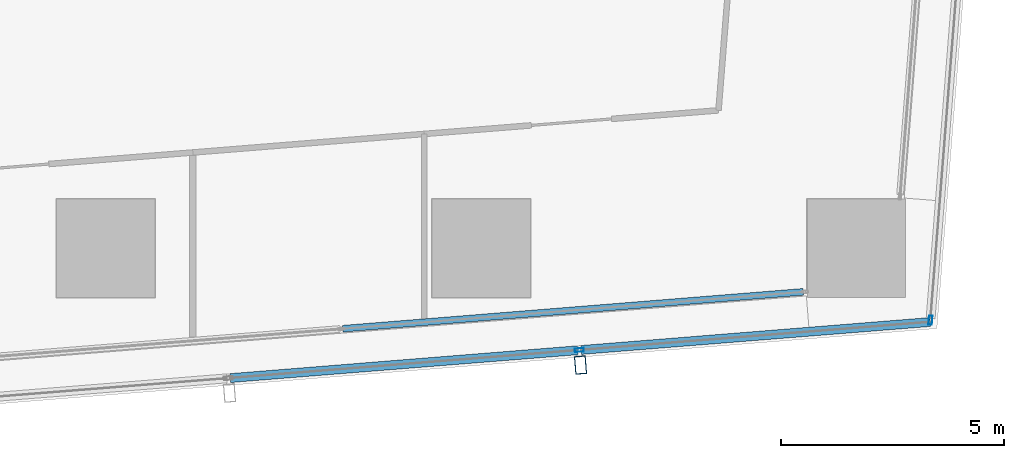
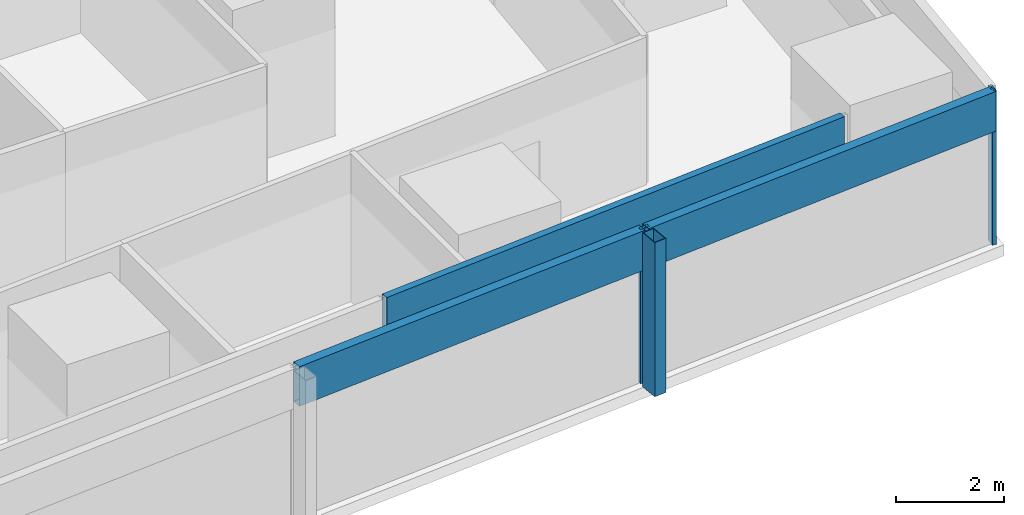
# One storey, part 11 of 42: 6 members, 3 elements without a shape of their own.
"""IFC4 building model written with IfcOpenShell, lengths in metres."""

from ifc_helpers import new_model, si_unit, direction, frame, origin, origin_2d, place, context, subcontext, project, spatial, hollow_rectangle, extrude, material, material_profile, profile_set, type_object, element, aggregate, save


model = new_model("IFC4")

# Units and contexts
model_context = context("Model", 3, precision=1e-05, world=origin(), true_north=direction((0.0, 1.0)))
body_context = subcontext(model_context, "Body", "Model", "MODEL_VIEW")
ifc_project = project(units=[si_unit("LENGTHUNIT", "METRE"), si_unit("AREAUNIT", "SQUARE_METRE"), si_unit("VOLUMEUNIT", "CUBIC_METRE"), si_unit("PLANEANGLEUNIT", "RADIAN"), si_unit("MASSUNIT", "GRAM", prefix="KILO")], contexts=[model_context])

# Site, building, storey
site_placement = place(None, origin())
site = spatial("IfcSite", under=ifc_project, at=site_placement, CompositionType="ELEMENT")
building_placement = place(site_placement, origin())
building = spatial("IfcBuilding", under=site, at=building_placement, Name="Rekha Terrace Tower", CompositionType="ELEMENT")
storey_placement = place(building_placement, frame((0.0, 0.0, 40.39990234375)))
storey = spatial("IfcBuildingStorey", under=building, at=storey_placement, Name="L09", CompositionType="ELEMENT", Elevation=40.39990234375)

# Curtain wall, member
ifc_material_1 = material(Name="Aluminium framing", Category="aluminium")
curtain_wall_type_1 = type_object("IfcCurtainWallType", Name="CW2 double skin outer glazing", PredefinedType="USERDEFINED", material=ifc_material_1)
curtain_wall_1_placement = place(storey_placement, origin())
curtain_wall_1 = element("IfcCurtainWall", 1, at=curtain_wall_1_placement, inside=storey, type_object=curtain_wall_type_1, Name="CW2 double skin outer glazing", ObjectType="DOUBLE SKIN OUTER GLAZING", PredefinedType="USERDEFINED")
ifc_material_2 = material(Name="Steel S355 with fluorocarbon finish", Category="steel")
ifc_material_profile_1 = material_profile(ifc_material_2, hollow_rectangle(XDim=0.25, YDim=0.39990234375, WallThickness=0.012451171875, at=origin_2d()), Name="RHS400x250x12.5")
ifc_profile_set_1 = profile_set([ifc_material_profile_1], Name="Steel S355 with fluorocarbon finish")
member_type_1 = type_object("IfcMemberType", Name="BL1 facade blade RHS 400 x 250", PredefinedType="USERDEFINED", material=ifc_profile_set_1)
member_1_placement = place(storey_placement, frame((61.022705078125, 5.78515625, 0.0), z_axis=(0.0, 0.0, 1.0), x_axis=(0.996805139821, 0.079871855039, 0.0)))
member_1 = element("IfcMember", 2, at=member_1_placement, type_object=member_type_1, Name="Facade blade", ObjectType="FACADE BLADE", PredefinedType="USERDEFINED", context=body_context, shape_type="SweptSolid", body=[
    extrude(hollow_rectangle(XDim=0.25, YDim=0.39990234375, WallThickness=0.012451171875, at=origin_2d()), origin(), (0.0, 0.0, 1.0), 3.5),
])

curtain_wall_type_2 = type_object("IfcCurtainWallType", Name="CW1 double skin inner glazing", PredefinedType="USERDEFINED", material=ifc_material_1)
curtain_wall_2_placement = place(storey_placement, origin())
curtain_wall_2 = element("IfcCurtainWall", 3, at=curtain_wall_2_placement, inside=storey, type_object=curtain_wall_type_2, Name="CW1 double skin inner glazing", ObjectType="DOUBLE SKIN INNER GLAZING", PredefinedType="USERDEFINED")
ifc_material_3 = material(Name="Insulated aluminium spandrel box", Category="aluminium")
ifc_material_profile_2 = material_profile(ifc_material_3, hollow_rectangle(XDim=0.14990234375, YDim=0.89990234375, WallThickness=0.0029296875, at=origin_2d()), Name="AL SPANDREL BOX 150x900")
ifc_profile_set_2 = profile_set([ifc_material_profile_2], Name="Insulated aluminium spandrel box")
member_type_2 = type_object("IfcMemberType", Name="CW1 spandrel transom 150 x 900", PredefinedType="USERDEFINED", material=ifc_profile_set_2)
member_2_placement = place(storey_placement, frame((55.704345703125, 6.59814453125, 3.050048828125), z_axis=(0.996806184606, 0.079858814989, 0.0), x_axis=(-0.079858814989, 0.996806184606, 0.0)))
member_2 = element("IfcMember", 4, at=member_2_placement, type_object=member_type_2, Name="CW1 spandrel transom 2", ObjectType="TRANSOM", PredefinedType="USERDEFINED", context=body_context, shape_type="SweptSolid", body=[
    extrude(hollow_rectangle(XDim=0.14990234375, YDim=0.89990234375, WallThickness=0.0029296875, at=origin_2d()), origin(), (0.0, 0.0, 1.0), 10.336181640625),
])
aggregate(curtain_wall_2, [member_2])

# Member
ifc_material_4 = material(Name="Aluminium mullion section", Category="aluminium")
ifc_material_profile_3 = material_profile(ifc_material_4, hollow_rectangle(XDim=0.080078125, YDim=0.199951171875, WallThickness=0.00390625, at=origin_2d()), Name="AL RHS 80x200")
ifc_profile_set_3 = profile_set([ifc_material_profile_3], Name="Aluminium mullion section")
member_type_3 = type_object("IfcMemberType", Name="CW2 mullion RHS 80 x 200", PredefinedType="MULLION", material=ifc_profile_set_3)
member_3_placement = place(storey_placement, frame((60.99609375, 6.119140625, 0.0), z_axis=(0.0, 0.0, 1.0), x_axis=(-0.079872204468, 0.996805111821, 0.0)))
member_3 = element("IfcMember", 5, at=member_3_placement, type_object=member_type_3, Name="CW2 mullion 3", PredefinedType="MULLION", context=body_context, shape_type="SweptSolid", body=[
    extrude(hollow_rectangle(XDim=0.080078125, YDim=0.199951171875, WallThickness=0.00390625, at=origin_2d()), origin(), (0.0, 0.0, 1.0), 3.5),
])

# Curtain wall, member
curtain_wall_3_placement = place(storey_placement, origin())
curtain_wall_3 = element("IfcCurtainWall", 6, at=curtain_wall_3_placement, inside=storey, type_object=curtain_wall_type_1, Name="CW2 double skin outer glazing", ObjectType="DOUBLE SKIN OUTER GLAZING", PredefinedType="USERDEFINED")
member_4_placement = place(storey_placement, frame((68.8544921875, 6.78857421875, 0.0), z_axis=(0.0, 0.0, 1.0), x_axis=(-0.996865392578, 0.079116300982, 0.0)))
member_4 = element("IfcMember", 7, at=member_4_placement, type_object=member_type_3, Name="CW2 mullion 1", PredefinedType="MULLION", context=body_context, shape_type="SweptSolid", body=[
    extrude(hollow_rectangle(XDim=0.080078125, YDim=0.199951171875, WallThickness=0.00390625, at=origin_2d()), origin(), (0.0, 0.0, 1.0), 3.5),
])
aggregate(curtain_wall_3, [member_4])

# Member
ifc_material_profile_4 = material_profile(ifc_material_3, hollow_rectangle(XDim=0.199951171875, YDim=0.89990234375, WallThickness=0.0029296875, at=origin_2d()), Name="AL SPANDREL BOX 200x900")
ifc_profile_set_4 = profile_set([ifc_material_profile_4], Name="Insulated aluminium spandrel box")
member_type_4 = type_object("IfcMemberType", Name="CW2 spandrel transom 200 x 900", PredefinedType="USERDEFINED", material=ifc_profile_set_4)
member_5_placement = place(storey_placement, frame((53.1806640625, 5.492919921875, 3.050048828125), z_axis=(0.996804920132, 0.079874596715, 0.0), x_axis=(-0.079874596715, 0.996804920132, 0.0)))
member_5 = element("IfcMember", 8, at=member_5_placement, type_object=member_type_4, Name="CW2 spandrel transom 2", ObjectType="TRANSOM", PredefinedType="USERDEFINED", context=body_context, shape_type="SweptSolid", body=[
    extrude(hollow_rectangle(XDim=0.199951171875, YDim=0.89990234375, WallThickness=0.0029296875, at=origin_2d()), origin(), (0.0, 0.0, 1.0), 7.80029296875),
])

member_6_placement = place(storey_placement, frame((61.035888671875, 6.122314453125, 3.050048828125), z_axis=(0.996805270739, 0.07987022115, 0.0), x_axis=(-0.07987022115, 0.996805270739, 0.0)))
member_6 = element("IfcMember", 9, at=member_6_placement, type_object=member_type_4, Name="CW2 spandrel transom 3", ObjectType="TRANSOM", PredefinedType="USERDEFINED", context=body_context, shape_type="SweptSolid", body=[
    extrude(hollow_rectangle(XDim=0.199951171875, YDim=0.89990234375, WallThickness=0.0029296875, at=origin_2d()), origin(), (0.0, 0.0, 1.0), 7.840576171875),
])

aggregate(curtain_wall_1, [member_3, member_5, member_6, member_1])

save(model, "model.ifc")
